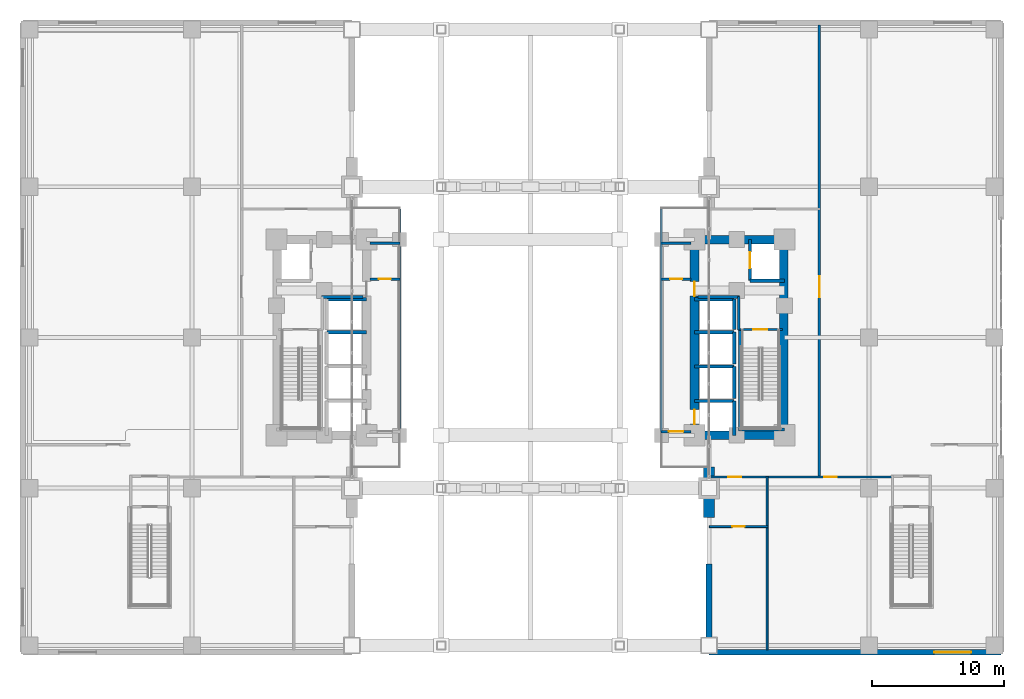
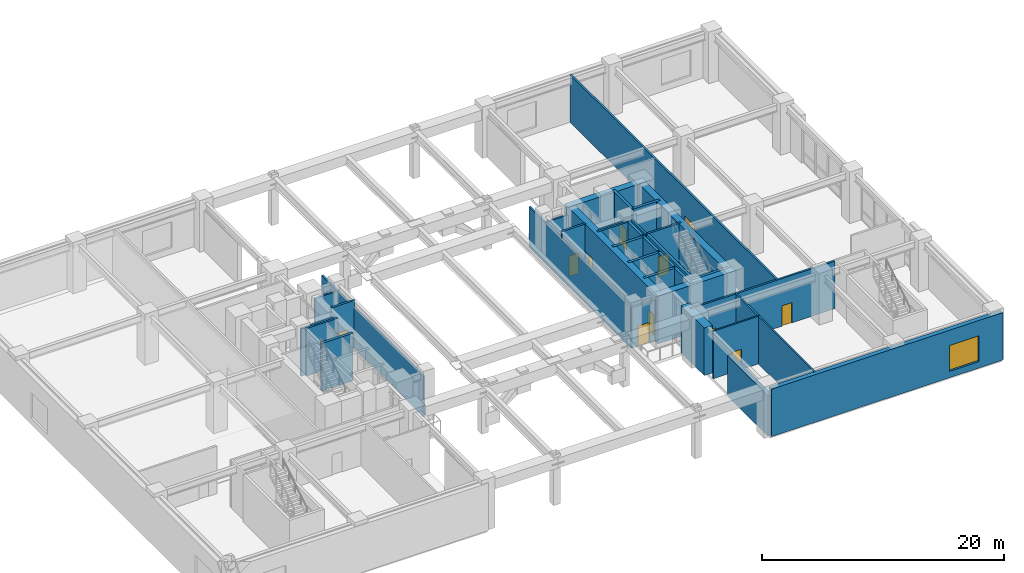
# One storey, part 19 of 26: 36 walls, 11 doors, 1 window, 12 openings.
"""IFC4 building model written with IfcOpenShell, lengths in metres."""

from ifc_helpers import new_model, si_unit, direction, frame, frame_2d, origin, place, context, subcontext, project, spatial, rectangle, extrude, material, layer, layer_set, type_object, element, fill, save


model = new_model("IFC4")

# Units and contexts
model_context = context("Model", 3, precision=1e-05, world=origin(), true_north=direction((0.0, 1.0)))
body_context = subcontext(model_context, "Body", "Model", "MODEL_VIEW")
ifc_project = project(units=[si_unit("LENGTHUNIT", "METRE"), si_unit("AREAUNIT", "SQUARE_METRE"), si_unit("VOLUMEUNIT", "CUBIC_METRE"), si_unit("PLANEANGLEUNIT", "RADIAN"), si_unit("MASSUNIT", "GRAM", prefix="KILO")], contexts=[model_context])

# Site, building, storey
site_placement = place(None, origin())
site = spatial("IfcSite", under=ifc_project, at=site_placement, CompositionType="ELEMENT")
building_placement = place(site_placement, origin())
building = spatial("IfcBuilding", under=site, at=building_placement, Name="Voryun Gate Residences", CompositionType="ELEMENT")
storey_placement = place(building_placement, frame((0.0, 0.0, 15.60009765625)))
storey = spatial("IfcBuildingStorey", under=building, at=storey_placement, Name="L03", CompositionType="ELEMENT", Elevation=15.60009765625)

# Walls
ifc_material_1 = material(Name="Concrete C60/75", Category="concrete")
ifc_layer_1 = layer(ifc_material_1, 0.64990234375, Name="CW_CORE_650")
ifc_layer_set_1 = layer_set([ifc_layer_1], Name="Concrete C60/75")
wall_type_1 = type_object("IfcWallType", Name="CW_CORE_650", PredefinedType="SHEAR", material=ifc_layer_set_1)
for number, where, z_axis, x_axis, name in (
    (1, (12.074951171875, -7.39990234375, 0.0), (0.0, 0.0, 1.0), (1.0, 0.0, 0.0), "L03 Core shear wall CW-L03-ES"),
    (2, (12.074951171875, 7.39990234375, 0.0), (0.0, 0.0, 1.0), (1.0, 0.0, 0.0), "L03 Core shear wall CW-L03-EN"),
):
    element("IfcWall", number, at=place(storey_placement, frame(where, z_axis=z_axis, x_axis=x_axis)), inside=storey, type_object=wall_type_1, Name=name, PredefinedType="SHEAR", context=body_context, shape_type="SweptSolid", body=[
        extrude(rectangle(XDim=7.449951171875, YDim=0.64990234375, at=frame_2d((3.72509765625, 0.0))), origin(), (0.0, 0.0, 1.0), 4.7998046875),
    ])

# Wall, openings, doors
wall_1_placement = place(storey_placement, frame((12.39990234375, -7.39990234375, 0.0), z_axis=(0.0, 0.0, 1.0), x_axis=(0.0, 1.0, 0.0)))
wall_1 = element("IfcWall", 3, at=wall_1_placement, inside=storey, type_object=wall_type_1, Name="L03 Core shear wall CW-L03-EW", PredefinedType="SHEAR", context=body_context, shape_type="SweptSolid", body=[
    extrude(rectangle(XDim=14.7998046875, YDim=0.64990234375, at=frame_2d((7.39990234375, 0.0))), origin(), (0.0, 0.0, 1.0), 4.7998046875),
])
opening_1_placement = place(wall_1_placement, frame((0.85009765625, 0.0, 0.0)))
opening_1 = element("IfcOpeningElement", 4, at=opening_1_placement, cuts=wall_1, Name="Opening LD2", PredefinedType="OPENING", context=body_context, shape_type="SweptSolid", body=[
    extrude(rectangle(XDim=1.10009765625, YDim=2.050048828125, at=frame_2d((0.550048828125, 1.02490234375))), frame((0.0, 0.3349609375, 0.0), z_axis=(0.0, -1.0, 0.0), x_axis=(1.0, 0.0, 0.0)), (0.0, 0.0, 1.0), 0.669921875),
])
opening_2_placement = place(wall_1_placement, frame((10.530029296875, 0.0, 0.0)))
opening_2 = element("IfcOpeningElement", 5, at=opening_2_placement, cuts=wall_1, Name="Opening D-FD60-2", PredefinedType="OPENING", context=body_context, shape_type="SweptSolid", body=[
    extrude(rectangle(XDim=1.10009765625, YDim=2.050048828125, at=frame_2d((0.550048828125, 1.02490234375))), frame((0.0, 0.3349609375, 0.0), z_axis=(0.0, -1.0, 0.0), x_axis=(1.0, 0.0, 0.0)), (0.0, 0.0, 1.0), 0.669921875),
])
ifc_material_2 = material(Name="Painted steel fire door", Category="steel")
door_type_1 = type_object("IfcDoorType", Name="DR_FD60_FFLOB_1100", OperationType="NOTDEFINED", PredefinedType="DOOR", material=ifc_material_2)
door_1_placement = place(opening_2_placement, origin())
door_1 = element("IfcDoor", 6, at=door_1_placement, inside=storey, type_object=door_type_1, Name="Door DR-L03-CLOB-E", OperationType="SINGLE_SWING_RIGHT", OverallHeight=2.050048828125, OverallWidth=1.10009765625, PredefinedType="DOOR", context=body_context, shape_type="SweptSolid", body=[
    extrude(rectangle(XDim=1.10009765625, YDim=2.050048828125, at=frame_2d((0.550048828125, 1.02490234375))), frame((0.0, 0.02490234375, 0.0), z_axis=(0.0, -1.0, 0.0), x_axis=(1.0, 0.0, 0.0)), (0.0, 0.0, 1.0), 0.050048828125),
])
fill(opening_2, door_1)
ifc_material_3 = material(Name="Anodised aluminium", Category="aluminium")
door_type_2 = type_object("IfcDoorType", Name="DR_LD_PASS_1100", OperationType="NOTDEFINED", PredefinedType="DOOR", material=ifc_material_3)
door_2_placement = place(opening_1_placement, origin())
door_2 = element("IfcDoor", 7, at=door_2_placement, inside=storey, type_object=door_type_2, Name="Lift EL-P3 sliding landing door L03", OperationType="SLIDING_TO_LEFT", OverallHeight=2.050048828125, OverallWidth=1.10009765625, PredefinedType="DOOR", context=body_context, shape_type="SweptSolid", body=[
    extrude(rectangle(XDim=1.10009765625, YDim=2.050048828125, at=frame_2d((0.550048828125, 1.02490234375))), frame((0.0, 0.02490234375, 0.0), z_axis=(0.0, -1.0, 0.0), x_axis=(1.0, 0.0, 0.0)), (0.0, 0.0, 1.0), 0.050048828125),
])
fill(opening_1, door_2)

# Walls
wall_2_placement = place(storey_placement, frame((19.14501953125, -7.39990234375, 0.0), z_axis=(0.0, 0.0, 1.0), x_axis=(0.0, 1.0, 0.0)))
element("IfcWall", 8, at=wall_2_placement, inside=storey, type_object=wall_type_1, Name="L03 Core shear wall CW-L03-EE", PredefinedType="SHEAR", context=body_context, shape_type="SweptSolid", body=[
    extrude(rectangle(XDim=14.7998046875, YDim=0.64990234375, at=frame_2d((7.39990234375, 0.0))), origin(), (0.0, 0.0, 1.0), 4.7998046875),
])
ifc_material_4 = material(Name="Concrete C60/75", Category="concrete")
ifc_layer_2 = layer(ifc_material_4, 0.800048828125, Name="W_ARCH_PIER_800")
ifc_layer_set_2 = layer_set([ifc_layer_2], Name="Concrete C60/75")
wall_type_2 = type_object("IfcWallType", Name="W_ARCH_PIER_800", PredefinedType="SOLIDWALL", material=ifc_layer_set_2)
wall_3_placement = place(storey_placement, frame((13.5, -13.60009765625, 0.0), z_axis=(0.0, 0.0, 1.0), x_axis=(0.0, 1.0, 0.0)))
element("IfcWall", 9, at=wall_3_placement, inside=storey, type_object=wall_type_2, Name="L03 Parabolic arch pier wall ES", PredefinedType="SOLIDWALL", context=body_context, shape_type="SweptSolid", body=[
    extrude(rectangle(XDim=3.800048828125, YDim=0.800048828125, at=frame_2d((1.89990234375, 0.0))), origin(), (0.0, 0.0, 1.0), 4.7998046875),
])
ifc_material_5 = material(Name="Gypsum acoustic fireboard")
ifc_layer_3 = layer(ifc_material_5, 0.179931640625, Name="W_CORR_RATED_180")
ifc_layer_set_3 = layer_set([ifc_layer_3], Name="Gypsum acoustic fireboard")
wall_type_3 = type_object("IfcWallType", Name="W_CORR_RATED_180", PredefinedType="PARTITIONING", material=ifc_layer_set_3)
wall_4_placement = place(storey_placement, frame((-12.14990234375, 7.1201171875, 0.0), z_axis=(0.0, 0.0, 1.0), x_axis=(1.0, 0.0, 0.0)))
element("IfcWall", 10, at=wall_4_placement, inside=storey, type_object=wall_type_3, Name="Partition wall WP-L03-PLBN-W", PredefinedType="PARTITIONING", context=body_context, shape_type="SweptSolid", body=[
    extrude(rectangle(XDim=2.27001953125, YDim=0.179931640625, at=frame_2d((1.135009765625, 0.0))), origin(), (0.0, 0.0, 1.0), 4.08984375),
])

# Wall, opening, door
wall_5_placement = place(storey_placement, frame((15.699951171875, 0.60009765625, 0.0), z_axis=(0.0, 0.0, 1.0), x_axis=(1.0, 0.0, 0.0)))
wall_5 = element("IfcWall", 11, at=wall_5_placement, inside=storey, type_object=wall_type_3, Name="Partition wall WP-L03-STV-E", PredefinedType="PARTITIONING", context=body_context, shape_type="SweptSolid", body=[
    extrude(rectangle(XDim=3.360107421875, YDim=0.179931640625, at=frame_2d((1.68017578125, 0.0))), origin(), (0.0, 0.0, 1.0), 4.7998046875),
])
opening_3_placement = place(wall_5_placement, frame((1.155029296875, 0.0, 0.0)))
opening_3 = element("IfcOpeningElement", 12, at=opening_3_placement, cuts=wall_5, Name="Opening D-FD60-1", PredefinedType="OPENING", context=body_context, shape_type="SweptSolid", body=[
    extrude(rectangle(XDim=1.050048828125, YDim=2.050048828125, at=frame_2d((0.52490234375, 1.02490234375))), frame((0.0, 0.099853515625, 0.0), z_axis=(0.0, -1.0, 0.0), x_axis=(1.0, 0.0, 0.0)), (0.0, 0.0, 1.0), 0.199951171875),
])
ifc_material_6 = material(Name="Painted steel fire door", Category="steel")
door_type_3 = type_object("IfcDoorType", Name="DR_FD60_STAIR_1050", OperationType="NOTDEFINED", PredefinedType="DOOR", material=ifc_material_6)
door_3_placement = place(opening_3_placement, origin())
door_3 = element("IfcDoor", 13, at=door_3_placement, inside=storey, type_object=door_type_3, Name="Door DR-L03-ST-E", OperationType="SINGLE_SWING_RIGHT", OverallHeight=2.050048828125, OverallWidth=1.050048828125, PredefinedType="DOOR", context=body_context, shape_type="SweptSolid", body=[
    extrude(rectangle(XDim=1.050048828125, YDim=2.050048828125, at=frame_2d((0.52490234375, 1.02490234375))), frame((0.0, 0.02490234375, 0.0), z_axis=(0.0, -1.0, 0.0), x_axis=(1.0, 0.0, 0.0)), (0.0, 0.0, 1.0), 0.050048828125),
])
fill(opening_3, door_3)

# Wall
wall_6_placement = place(storey_placement, frame((9.8798828125, 7.1201171875, 0.0), z_axis=(0.0, 0.0, 1.0), x_axis=(1.0, 0.0, 0.0)))
element("IfcWall", 14, at=wall_6_placement, inside=storey, type_object=wall_type_3, Name="Partition wall WP-L03-PLBN-E", PredefinedType="PARTITIONING", context=body_context, shape_type="SweptSolid", body=[
    extrude(rectangle(XDim=2.27001953125, YDim=0.179931640625, at=frame_2d((1.135009765625, 0.0))), origin(), (0.0, 0.0, 1.0), 4.08984375),
])

# Wall, opening, door
wall_7_placement = place(storey_placement, frame((9.8798828125, -7.1201171875, 0.0), z_axis=(0.0, 0.0, 1.0), x_axis=(1.0, 0.0, 0.0)))
wall_7 = element("IfcWall", 15, at=wall_7_placement, inside=storey, type_object=wall_type_3, Name="Partition wall WP-L03-PLBS-E", PredefinedType="PARTITIONING", context=body_context, shape_type="SweptSolid", body=[
    extrude(rectangle(XDim=2.27001953125, YDim=0.179931640625, at=frame_2d((1.135009765625, 0.0))), origin(), (0.0, 0.0, 1.0), 4.08984375),
])
opening_4_placement = place(wall_7_placement, frame((0.5849609375, 0.0, 0.0)))
opening_4 = element("IfcOpeningElement", 16, at=opening_4_placement, cuts=wall_7, Name="Opening D-FD60-2", PredefinedType="OPENING", context=body_context, shape_type="SweptSolid", body=[
    extrude(rectangle(XDim=1.10009765625, YDim=2.050048828125, at=frame_2d((0.550048828125, 1.02490234375))), frame((0.0, 0.099853515625, 0.0), z_axis=(0.0, -1.0, 0.0), x_axis=(1.0, 0.0, 0.0)), (0.0, 0.0, 1.0), 0.199951171875),
])
door_4_placement = place(opening_4_placement, origin())
door_4 = element("IfcDoor", 17, at=door_4_placement, inside=storey, type_object=door_type_1, Name="Door DR-L03-PLBNE", OperationType="SINGLE_SWING_RIGHT", OverallHeight=2.050048828125, OverallWidth=1.10009765625, PredefinedType="DOOR", context=body_context, shape_type="SweptSolid", body=[
    extrude(rectangle(XDim=1.10009765625, YDim=2.050048828125, at=frame_2d((0.550048828125, 1.02490234375))), frame((0.0, 0.02490234375, 0.0), z_axis=(0.0, -1.0, 0.0), x_axis=(1.0, 0.0, 0.0)), (0.0, 0.0, 1.0), 0.050048828125),
])
fill(opening_4, door_4)

# Walls
for number, where, z_axis, x_axis, name in (
    (18, (-9.89990234375, -7.1201171875, 0.0), (0.0, 0.0, 1.0), (0.0, 1.0, 0.0), "Partition wall WP-L03-PLBW"),
    (19, (9.89990234375, -7.1201171875, 0.0), (0.0, 0.0, 1.0), (0.0, 1.0, 0.0), "Partition wall WP-L03-PLBE"),
):
    element("IfcWall", number, at=place(storey_placement, frame(where, z_axis=z_axis, x_axis=x_axis)), inside=storey, type_object=wall_type_3, Name=name, PredefinedType="PARTITIONING", context=body_context, shape_type="SweptSolid", body=[
        extrude(rectangle(XDim=16.820068359375, YDim=0.179931640625, at=frame_2d((8.41015625, 0.0))), origin(), (0.0, 0.0, 1.0), 4.08984375),
    ])

# Wall, opening, door
wall_8_placement = place(storey_placement, frame((21.85009765625, -10.5, 0.0), z_axis=(0.0, 0.0, 1.0), x_axis=(0.0, 1.0, 0.0)))
wall_8 = element("IfcWall", 20, at=wall_8_placement, inside=storey, type_object=wall_type_3, Name="Partition wall WP-L03-ECE1", PredefinedType="PARTITIONING", context=body_context, shape_type="SweptSolid", body=[
    extrude(rectangle(XDim=34.1201171875, YDim=0.179931640625, at=frame_2d((17.06005859375, 0.0))), origin(), (0.0, 0.0, 1.0), 4.7998046875),
])
opening_5_placement = place(wall_8_placement, frame((13.530517578125, 0.0, 0.0)))
opening_5 = element("IfcOpeningElement", 21, at=opening_5_placement, cuts=wall_8, Name="Opening D-FD30-1", PredefinedType="OPENING", context=body_context, shape_type="SweptSolid", body=[
    extrude(rectangle(XDim=1.60009765625, YDim=2.050048828125, at=frame_2d((0.800048828125, 1.02490234375))), frame((0.0, 0.099853515625, 0.0), z_axis=(0.0, -1.0, 0.0), x_axis=(1.0, 0.0, 0.0)), (0.0, 0.0, 1.0), 0.199951171875),
])
ifc_material_7 = material(Name="Glazed aluminium fire door", Category="aluminium")
door_type_4 = type_object("IfcDoorType", Name="DR_CORR_SMOKE_1600", OperationType="NOTDEFINED", PredefinedType="DOOR", material=ifc_material_7)
door_5_placement = place(opening_5_placement, origin())
door_5 = element("IfcDoor", 22, at=door_5_placement, inside=storey, type_object=door_type_4, Name="Door DR-L03-ED1", OperationType="DOUBLE_DOOR_SINGLE_SWING", OverallHeight=2.050048828125, OverallWidth=1.60009765625, PredefinedType="DOOR", context=body_context, shape_type="SweptSolid", body=[
    extrude(rectangle(XDim=1.60009765625, YDim=2.050048828125, at=frame_2d((0.800048828125, 1.02490234375))), frame((0.0, 0.02490234375, 0.0), z_axis=(0.0, -1.0, 0.0), x_axis=(1.0, 0.0, 0.0)), (0.0, 0.0, 1.0), 0.050048828125),
])
fill(opening_5, door_5)

# Wall, openings, doors
wall_9_placement = place(storey_placement, frame((13.52001953125, -10.550048828125, 0.0), z_axis=(0.0, 0.0, 1.0), x_axis=(1.0, 0.0, 0.0)))
wall_9 = element("IfcWall", 23, at=wall_9_placement, inside=storey, type_object=wall_type_3, Name="Partition wall WP-L03-ECS2", PredefinedType="PARTITIONING", context=body_context, shape_type="SweptSolid", body=[
    extrude(rectangle(XDim=13.780029296875, YDim=0.179931640625, at=frame_2d((6.89013671875, 0.0))), origin(), (0.0, 0.0, 1.0), 4.7998046875),
])
opening_6_placement = place(wall_9_placement, frame((1.42919921875, 0.0, 0.0)))
opening_6 = element("IfcOpeningElement", 24, at=opening_6_placement, cuts=wall_9, Name="Opening D-AWC-1", PredefinedType="OPENING", context=body_context, shape_type="SweptSolid", body=[
    extrude(rectangle(XDim=1.0, YDim=2.050048828125, at=frame_2d((0.5, 1.02490234375))), frame((0.0, 0.099853515625, 0.0), z_axis=(0.0, -1.0, 0.0), x_axis=(1.0, 0.0, 0.0)), (0.0, 0.0, 1.0), 0.199951171875),
])
opening_7_placement = place(wall_9_placement, frame((8.701904296875, 0.0, 0.0)))
opening_7 = element("IfcOpeningElement", 25, at=opening_7_placement, cuts=wall_9, Name="Opening D-INT-1", PredefinedType="OPENING", context=body_context, shape_type="SweptSolid", body=[
    extrude(rectangle(XDim=0.949951171875, YDim=2.050048828125, at=frame_2d((0.47509765625, 1.02490234375))), frame((0.0, 0.099853515625, 0.0), z_axis=(0.0, -1.0, 0.0), x_axis=(1.0, 0.0, 0.0)), (0.0, 0.0, 1.0), 0.199951171875),
])
ifc_material_8 = material(Name="Architectural oak veneer")
door_type_5 = type_object("IfcDoorType", Name="DR_ACC_WC_1000", OperationType="NOTDEFINED", PredefinedType="DOOR", material=ifc_material_8)
door_6_placement = place(opening_6_placement, origin())
door_6 = element("IfcDoor", 26, at=door_6_placement, inside=storey, type_object=door_type_5, Name="Door DR-L03-EDWC", OperationType="SINGLE_SWING_LEFT", OverallHeight=2.050048828125, OverallWidth=1.0, PredefinedType="DOOR", context=body_context, shape_type="SweptSolid", body=[
    extrude(rectangle(XDim=1.0, YDim=2.050048828125, at=frame_2d((0.5, 1.02490234375))), frame((0.0, 0.02490234375, 0.0), z_axis=(0.0, -1.0, 0.0), x_axis=(1.0, 0.0, 0.0)), (0.0, 0.0, 1.0), 0.050048828125),
])
fill(opening_6, door_6)
ifc_material_9 = material(Name="Architectural oak veneer")
door_type_6 = type_object("IfcDoorType", Name="DR_INT_ROOM_950", OperationType="NOTDEFINED", PredefinedType="DOOR", material=ifc_material_9)
door_7_placement = place(opening_7_placement, origin())
door_7 = element("IfcDoor", 27, at=door_7_placement, inside=storey, type_object=door_type_6, Name="Door DR-L03-ED3", OperationType="SINGLE_SWING_RIGHT", OverallHeight=2.050048828125, OverallWidth=0.949951171875, PredefinedType="DOOR", context=body_context, shape_type="SweptSolid", body=[
    extrude(rectangle(XDim=0.949951171875, YDim=2.050048828125, at=frame_2d((0.47509765625, 1.02490234375))), frame((0.0, 0.02490234375, 0.0), z_axis=(0.0, -1.0, 0.0), x_axis=(1.0, 0.0, 0.0)), (0.0, 0.0, 1.0), 0.050048828125),
])
fill(opening_7, door_7)

# Wall, opening, window
ifc_material_10 = material(Name="Granite masonry", Category="masonry")
ifc_layer_4 = layer(ifc_material_10, 0.419921875, Name="W_EXT_PODIUM_420")
ifc_layer_set_4 = layer_set([ifc_layer_4], Name="Granite masonry")
wall_type_4 = type_object("IfcWallType", Name="W_EXT_PODIUM_420", PredefinedType="ELEMENTEDWALL", material=ifc_layer_set_4)
wall_10_placement = place(storey_placement, frame((13.5, -23.800048828125, 0.0), z_axis=(0.0, 0.0, 1.0), x_axis=(1.0, 0.0, 0.0)))
wall_10 = element("IfcWall", 28, at=wall_10_placement, inside=storey, type_object=wall_type_4, Name="Exterior wall WEP-L03-EP-1", PredefinedType="ELEMENTEDWALL", context=body_context, shape_type="SweptSolid", body=[
    extrude(rectangle(XDim=22.10009765625, YDim=0.419921875, at=frame_2d((11.050048828125, 0.0))), origin(), (0.0, 0.0, 1.0), 4.7998046875),
])
opening_8_placement = place(wall_10_placement, frame((17.01708984375, 0.0, 0.64990234375)))
opening_8 = element("IfcOpeningElement", 29, at=opening_8_placement, cuts=wall_10, Name="Opening WN5", PredefinedType="OPENING", context=body_context, shape_type="SweptSolid", body=[
    extrude(rectangle(XDim=2.800048828125, YDim=2.60009765625, at=frame_2d((1.39990234375, 1.300048828125))), frame((0.0, 0.219970703125, 0.0), z_axis=(0.0, -1.0, 0.0), x_axis=(1.0, 0.0, 0.0)), (0.0, 0.0, 1.0), 0.43994140625),
])
ifc_material_11 = material(Name="Laminated low-E glass", Category="glass")
window_type = type_object("IfcWindowType", Name="WN_POD_GALLERY_2800", PartitioningType="SINGLE_PANEL", PredefinedType="WINDOW", material=ifc_material_11)
window_placement = place(opening_8_placement, origin())
window = element("IfcWindow", 30, at=window_placement, inside=storey, type_object=window_type, Name="Window WN-L03-EP-1-03", OverallHeight=2.60009765625, OverallWidth=2.800048828125, PartitioningType="SINGLE_PANEL", PredefinedType="WINDOW", context=body_context, shape_type="SweptSolid", body=[
    extrude(rectangle(XDim=2.800048828125, YDim=2.60009765625, at=frame_2d((1.39990234375, 1.300048828125))), frame((0.0, 0.030029296875, 0.0), z_axis=(0.0, -1.0, 0.0), x_axis=(1.0, 0.0, 0.0)), (0.0, 0.0, 1.0), 0.06005859375),
])
fill(opening_8, window)

# Walls
wall_11_placement = place(storey_placement, frame((13.5, -23.800048828125, 0.0), z_axis=(0.0, 0.0, 1.0), x_axis=(0.0, 1.0, 0.0)))
element("IfcWall", 31, at=wall_11_placement, inside=storey, type_object=wall_type_4, Name="Exterior wall WEP-L03-EP-4A", PredefinedType="ELEMENTEDWALL", context=body_context, shape_type="SweptSolid", body=[
    extrude(rectangle(XDim=6.679931640625, YDim=0.419921875, at=frame_2d((3.33984375, 0.0))), origin(), (0.0, 0.0, 1.0), 4.08984375),
])
ifc_material_12 = material(Name="Concrete C40/50", Category="concrete")
ifc_layer_5 = layer(ifc_material_12, 0.199951171875, Name="W_FF_LOBBY_200")
ifc_layer_set_5 = layer_set([ifc_layer_5], Name="Concrete C40/50")
wall_type_5 = type_object("IfcWallType", Name="W_FF_LOBBY_200", PredefinedType="PARTITIONING", material=ifc_layer_set_5)
wall_12_placement = place(storey_placement, frame((-15.820068359375, 3.06005859375, 0.0), z_axis=(0.0, 0.0, 1.0), x_axis=(1.0, 0.0, 0.0)))
element("IfcWall", 32, at=wall_12_placement, inside=storey, type_object=wall_type_5, Name="Partition wall WP-L03-FFPS-W", PredefinedType="PARTITIONING", context=body_context, shape_type="SweptSolid", body=[
    extrude(rectangle(XDim=3.16015625, YDim=0.199951171875, at=frame_2d((1.580078125, 0.0))), origin(), (0.0, 0.0, 1.0), 4.7998046875),
])

# Wall, opening, door
wall_13_placement = place(storey_placement, frame((-12.14990234375, 4.409912109375, 0.0), z_axis=(0.0, 0.0, 1.0), x_axis=(1.0, 0.0, 0.0)))
wall_13 = element("IfcWall", 33, at=wall_13_placement, inside=storey, type_object=wall_type_5, Name="Partition wall WP-L03-CSFLKS-W", PredefinedType="PARTITIONING", context=body_context, shape_type="SweptSolid", body=[
    extrude(rectangle(XDim=2.27001953125, YDim=0.199951171875, at=frame_2d((1.135009765625, 0.0))), origin(), (0.0, 0.0, 1.0), 4.7998046875),
])
opening_9_placement = place(wall_13_placement, frame((0.68505859375, 0.0, 0.0)))
opening_9 = element("IfcOpeningElement", 34, at=opening_9_placement, cuts=wall_13, Name="Opening D-FD60-4", PredefinedType="OPENING", context=body_context, shape_type="SweptSolid", body=[
    extrude(rectangle(XDim=0.89990234375, YDim=2.050048828125, at=frame_2d((0.449951171875, 1.02490234375))), frame((0.0, 0.110107421875, 0.0), z_axis=(0.0, -1.0, 0.0), x_axis=(1.0, 0.0, 0.0)), (0.0, 0.0, 1.0), 0.219970703125),
])
ifc_material_13 = material(Name="Painted steel fire door", Category="steel")
door_type_7 = type_object("IfcDoorType", Name="DR_FD60_RISER_900", OperationType="NOTDEFINED", PredefinedType="DOOR", material=ifc_material_13)
door_8_placement = place(opening_9_placement, origin())
door_8 = element("IfcDoor", 35, at=door_8_placement, inside=storey, type_object=door_type_7, Name="Door DR-L03-CSFLK-W", OperationType="SINGLE_SWING_LEFT", OverallHeight=2.050048828125, OverallWidth=0.89990234375, PredefinedType="DOOR", context=body_context, shape_type="SweptSolid", body=[
    extrude(rectangle(XDim=0.89990234375, YDim=2.050048828125, at=frame_2d((0.449951171875, 1.02490234375))), frame((0.0, 0.02490234375, 0.0), z_axis=(0.0, -1.0, 0.0), x_axis=(1.0, 0.0, 0.0)), (0.0, 0.0, 1.0), 0.050048828125),
])
fill(opening_9, door_8)

# Walls
wall_14_placement = place(storey_placement, frame((15.760009765625, 0.580078125, 0.0), z_axis=(0.0, 0.0, 1.0), x_axis=(0.0, 1.0, 0.0)))
element("IfcWall", 36, at=wall_14_placement, inside=storey, type_object=wall_type_5, Name="Partition wall WP-L03-FFP0-E", PredefinedType="PARTITIONING", context=body_context, shape_type="SweptSolid", body=[
    extrude(rectangle(XDim=2.52001953125, YDim=0.199951171875, at=frame_2d((1.260009765625, 0.0))), origin(), (0.0, 0.0, 1.0), 4.7998046875),
])
wall_15_placement = place(storey_placement, frame((12.659912109375, 3.06005859375, 0.0), z_axis=(0.0, 0.0, 1.0), x_axis=(1.0, 0.0, 0.0)))
element("IfcWall", 37, at=wall_15_placement, inside=storey, type_object=wall_type_5, Name="Partition wall WP-L03-FFPS-E", PredefinedType="PARTITIONING", context=body_context, shape_type="SweptSolid", body=[
    extrude(rectangle(XDim=3.16015625, YDim=0.199951171875, at=frame_2d((1.580078125, 0.0))), origin(), (0.0, 0.0, 1.0), 4.7998046875),
])

# Wall, opening, door
wall_16_placement = place(storey_placement, frame((9.8798828125, 4.409912109375, 0.0), z_axis=(0.0, 0.0, 1.0), x_axis=(1.0, 0.0, 0.0)))
wall_16 = element("IfcWall", 38, at=wall_16_placement, inside=storey, type_object=wall_type_5, Name="Partition wall WP-L03-CSFLKS-E", PredefinedType="PARTITIONING", context=body_context, shape_type="SweptSolid", body=[
    extrude(rectangle(XDim=2.27001953125, YDim=0.199951171875, at=frame_2d((1.135009765625, 0.0))), origin(), (0.0, 0.0, 1.0), 4.7998046875),
])
opening_10_placement = place(wall_16_placement, frame((0.68505859375, 0.0, 0.0)))
opening_10 = element("IfcOpeningElement", 39, at=opening_10_placement, cuts=wall_16, Name="Opening D-FD60-4", PredefinedType="OPENING", context=body_context, shape_type="SweptSolid", body=[
    extrude(rectangle(XDim=0.89990234375, YDim=2.050048828125, at=frame_2d((0.449951171875, 1.02490234375))), frame((0.0, 0.110107421875, 0.0), z_axis=(0.0, -1.0, 0.0), x_axis=(1.0, 0.0, 0.0)), (0.0, 0.0, 1.0), 0.219970703125),
])
door_9_placement = place(opening_10_placement, origin())
door_9 = element("IfcDoor", 40, at=door_9_placement, inside=storey, type_object=door_type_7, Name="Door DR-L03-CSFLK-E", OperationType="SINGLE_SWING_RIGHT", OverallHeight=2.050048828125, OverallWidth=0.89990234375, PredefinedType="DOOR", context=body_context, shape_type="SweptSolid", body=[
    extrude(rectangle(XDim=0.89990234375, YDim=2.050048828125, at=frame_2d((0.449951171875, 1.02490234375))), frame((0.0, 0.02490234375, 0.0), z_axis=(0.0, -1.0, 0.0), x_axis=(1.0, 0.0, 0.0)), (0.0, 0.0, 1.0), 0.050048828125),
])
fill(opening_10, door_9)

# Walls
ifc_material_14 = material(Name="Concrete C50/60", Category="concrete")
ifc_layer_6 = layer(ifc_material_14, 0.25, Name="W_SHAFT_RC250")
ifc_layer_set_6 = layer_set([ifc_layer_6], Name="Concrete C50/60")
wall_type_6 = type_object("IfcWallType", Name="W_SHAFT_RC250", PredefinedType="SOLIDWALL", material=ifc_layer_set_6)
wall_17_placement = place(storey_placement, frame((15.860107421875, -7.0849609375, 0.0), z_axis=(0.0, 0.0, 1.0), x_axis=(0.0, 1.0, 0.0)))
element("IfcWall", 41, at=wall_17_placement, inside=storey, type_object=wall_type_6, Name="L03 Stair shaft structural wall E-STL", PredefinedType="SOLIDWALL", context=body_context, shape_type="SweptSolid", body=[
    extrude(rectangle(XDim=7.68505859375, YDim=0.25, at=frame_2d((3.842529296875, 0.0))), origin(), (0.0, 0.0, 1.0), 4.7998046875),
])
wall_18_placement = place(storey_placement, frame((15.739990234375, -6.965087890625, 0.0), z_axis=(0.0, 0.0, 1.0), x_axis=(1.0, 0.0, 0.0)))
element("IfcWall", 42, at=wall_18_placement, inside=storey, type_object=wall_type_6, Name="L03 Stair shaft structural wall E-STS", PredefinedType="SOLIDWALL", context=body_context, shape_type="SweptSolid", body=[
    extrude(rectangle(XDim=3.4599609375, YDim=0.25, at=frame_2d((1.72998046875, 0.0))), origin(), (0.0, 0.0, 1.0), 4.7998046875),
])
wall_19_placement = place(storey_placement, frame((16.60009765625, 4.300048828125, 0.0), z_axis=(0.0, 0.0, 1.0), x_axis=(1.0, 0.0, 0.0)))
element("IfcWall", 43, at=wall_19_placement, inside=storey, type_object=wall_type_6, Name="Lift shaft wall WSH-L03-EL-FF-E1-S", PredefinedType="SOLIDWALL", context=body_context, shape_type="SweptSolid", body=[
    extrude(rectangle(XDim=2.599853515625, YDim=0.25, at=frame_2d((1.2998046875, 0.0))), origin(), (0.0, 0.0, 1.0), 4.7998046875),
])

# Wall, opening, door
wall_20_placement = place(storey_placement, frame((16.60009765625, 7.39990234375, 0.0), z_axis=(0.0, 0.0, 1.0), x_axis=(0.0, -1.0, 0.0)))
wall_20 = element("IfcWall", 44, at=wall_20_placement, inside=storey, type_object=wall_type_6, Name="Lift shaft wall WSH-L03-EL-FF-E1-W", PredefinedType="SOLIDWALL", context=body_context, shape_type="SweptSolid", body=[
    extrude(rectangle(XDim=3.099853515625, YDim=0.25, at=frame_2d((1.5498046875, 0.0))), origin(), (0.0, 0.0, 1.0), 4.7998046875),
])
opening_11_placement = place(wall_20_placement, frame((0.949951171875, 0.0, 0.0)))
opening_11 = element("IfcOpeningElement", 45, at=opening_11_placement, cuts=wall_20, Name="Opening LD1", PredefinedType="OPENING", context=body_context, shape_type="SweptSolid", body=[
    extrude(rectangle(XDim=1.199951171875, YDim=2.050048828125, at=frame_2d((0.60009765625, 1.02490234375))), frame((0.0, 0.135009765625, 0.0), z_axis=(0.0, -1.0, 0.0), x_axis=(1.0, 0.0, 0.0)), (0.0, 0.0, 1.0), 0.27001953125),
])
ifc_material_15 = material(Name="Anodised aluminium", Category="aluminium")
door_type_8 = type_object("IfcDoorType", Name="DR_LD_FF_1200", OperationType="NOTDEFINED", PredefinedType="DOOR", material=ifc_material_15)
door_10_placement = place(opening_11_placement, origin())
door_10 = element("IfcDoor", 46, at=door_10_placement, inside=storey, type_object=door_type_8, Name="Lift EL-FF-E1 sliding landing door L03", OperationType="SLIDING_TO_LEFT", OverallHeight=2.050048828125, OverallWidth=1.199951171875, PredefinedType="DOOR", context=body_context, shape_type="SweptSolid", body=[
    extrude(rectangle(XDim=1.199951171875, YDim=2.050048828125, at=frame_2d((0.60009765625, 1.02490234375))), frame((0.0, 0.02490234375, 0.0), z_axis=(0.0, -1.0, 0.0), x_axis=(1.0, 0.0, 0.0)), (0.0, 0.0, 1.0), 0.050048828125),
])
fill(opening_11, door_10)

# Walls
wall_21_placement = place(storey_placement, frame((15.39990234375, -7.39990234375, 0.0), z_axis=(0.0, 0.0, 1.0), x_axis=(0.0, 1.0, 0.0)))
element("IfcWall", 47, at=wall_21_placement, inside=storey, type_object=wall_type_6, Name="Lift shaft wall WSH-L03-EL-P3-E", PredefinedType="SOLIDWALL", context=body_context, shape_type="SweptSolid", body=[
    extrude(rectangle(XDim=2.599853515625, YDim=0.25, at=frame_2d((1.2998046875, 0.0))), origin(), (0.0, 0.0, 1.0), 4.7998046875),
])
for number, where, z_axis, x_axis, name in (
    (48, (15.39990234375, -4.800048828125, 0.0), (0.0, 0.0, 1.0), (-1.0, 0.0, 0.0), "Lift shaft wall WSH-L03-EL-P3-N"),
    (49, (-12.39990234375, 0.39990234375, 0.0), (0.0, 0.0, 1.0), (-1.0, 0.0, 0.0), "Lift shaft wall WSH-L03-EL-P4-N"),
):
    element("IfcWall", number, at=place(storey_placement, frame(where, z_axis=z_axis, x_axis=x_axis)), inside=storey, type_object=wall_type_6, Name=name, PredefinedType="SOLIDWALL", context=body_context, shape_type="SweptSolid", body=[
        extrude(rectangle(XDim=3.0, YDim=0.25, at=frame_2d((1.5, 0.0))), origin(), (0.0, 0.0, 1.0), 4.7998046875),
    ])
wall_22_placement = place(storey_placement, frame((15.39990234375, -4.60009765625, 0.0), z_axis=(0.0, 0.0, 1.0), x_axis=(0.0, 1.0, 0.0)))
element("IfcWall", 50, at=wall_22_placement, inside=storey, type_object=wall_type_6, Name="Lift shaft wall WSH-L03-EL-P5-E", PredefinedType="SOLIDWALL", context=body_context, shape_type="SweptSolid", body=[
    extrude(rectangle(XDim=2.400146484375, YDim=0.25, at=frame_2d((1.2001953125, 0.0))), origin(), (0.0, 0.0, 1.0), 4.7998046875),
])
wall_23_placement = place(storey_placement, frame((15.39990234375, -2.199951171875, 0.0), z_axis=(0.0, 0.0, 1.0), x_axis=(-1.0, 0.0, 0.0)))
element("IfcWall", 51, at=wall_23_placement, inside=storey, type_object=wall_type_6, Name="Lift shaft wall WSH-L03-EL-P5-N", PredefinedType="SOLIDWALL", context=body_context, shape_type="SweptSolid", body=[
    extrude(rectangle(XDim=3.0, YDim=0.25, at=frame_2d((1.5, 0.0))), origin(), (0.0, 0.0, 1.0), 4.7998046875),
])
wall_24_placement = place(storey_placement, frame((15.39990234375, -2.0, 0.0), z_axis=(0.0, 0.0, 1.0), x_axis=(0.0, 1.0, 0.0)))
element("IfcWall", 52, at=wall_24_placement, inside=storey, type_object=wall_type_6, Name="Lift shaft wall WSH-L03-EL-P6-E", PredefinedType="SOLIDWALL", context=body_context, shape_type="SweptSolid", body=[
    extrude(rectangle(XDim=2.39990234375, YDim=0.25, at=frame_2d((1.199951171875, 0.0))), origin(), (0.0, 0.0, 1.0), 4.7998046875),
])
for number, where, z_axis, x_axis, name in (
    (53, (15.39990234375, 0.39990234375, 0.0), (0.0, 0.0, 1.0), (-1.0, 0.0, 0.0), "Lift shaft wall WSH-L03-EL-P6-N"),
    (54, (-12.39990234375, 2.89990234375, 0.0), (0.0, 0.0, 1.0), (-1.0, 0.0, 0.0), "Lift shaft wall WSH-L03-EL-P7-N"),
):
    element("IfcWall", number, at=place(storey_placement, frame(where, z_axis=z_axis, x_axis=x_axis)), inside=storey, type_object=wall_type_6, Name=name, PredefinedType="SOLIDWALL", context=body_context, shape_type="SweptSolid", body=[
        extrude(rectangle(XDim=3.0, YDim=0.25, at=frame_2d((1.5, 0.0))), origin(), (0.0, 0.0, 1.0), 4.7998046875),
    ])
wall_25_placement = place(storey_placement, frame((15.39990234375, 0.60009765625, 0.0), z_axis=(0.0, 0.0, 1.0), x_axis=(0.0, 1.0, 0.0)))
element("IfcWall", 55, at=wall_25_placement, inside=storey, type_object=wall_type_6, Name="Lift shaft wall WSH-L03-EL-P8-E", PredefinedType="SOLIDWALL", context=body_context, shape_type="SweptSolid", body=[
    extrude(rectangle(XDim=2.2998046875, YDim=0.25, at=frame_2d((1.14990234375, 0.0))), origin(), (0.0, 0.0, 1.0), 4.7998046875),
])
wall_26_placement = place(storey_placement, frame((15.39990234375, 2.89990234375, 0.0), z_axis=(0.0, 0.0, 1.0), x_axis=(-1.0, 0.0, 0.0)))
element("IfcWall", 56, at=wall_26_placement, inside=storey, type_object=wall_type_6, Name="Lift shaft wall WSH-L03-EL-P8-N", PredefinedType="SOLIDWALL", context=body_context, shape_type="SweptSolid", body=[
    extrude(rectangle(XDim=3.0, YDim=0.25, at=frame_2d((1.5, 0.0))), origin(), (0.0, 0.0, 1.0), 4.7998046875),
])
ifc_material_16 = material(Name="Gypsum moisture-resistant partition")
ifc_layer_7 = layer(ifc_material_16, 0.14990234375, Name="W_WET_PLUMB_150")
ifc_layer_set_7 = layer_set([ifc_layer_7], Name="Gypsum moisture-resistant partition")
wall_type_7 = type_object("IfcWallType", Name="W_WET_PLUMB_150", PredefinedType="PLUMBINGWALL", material=ifc_layer_set_7)
wall_27_placement = place(storey_placement, frame((17.89990234375, -23.6201171875, 0.0), z_axis=(0.0, 0.0, 1.0), x_axis=(0.0, 1.0, 0.0)))
element("IfcWall", 57, at=wall_27_placement, inside=storey, type_object=wall_type_7, Name="Partition wall WP-L03-EWCD1", PredefinedType="PLUMBINGWALL", context=body_context, shape_type="SweptSolid", body=[
    extrude(rectangle(XDim=13.1201171875, YDim=0.14990234375, at=frame_2d((6.56005859375, 0.0))), origin(), (0.0, 0.0, 1.0), 4.7998046875),
])

# Wall, opening, door
wall_28_placement = place(storey_placement, frame((13.52001953125, -14.300048828125, 0.0), z_axis=(0.0, 0.0, 1.0), x_axis=(1.0, 0.0, 0.0)))
wall_28 = element("IfcWall", 58, at=wall_28_placement, inside=storey, type_object=wall_type_7, Name="Partition wall WP-L03-EWCD2", PredefinedType="PLUMBINGWALL", context=body_context, shape_type="SweptSolid", body=[
    extrude(rectangle(XDim=4.429931640625, YDim=0.14990234375, at=frame_2d((2.21484375, 0.0))), origin(), (0.0, 0.0, 1.0), 4.7998046875),
])
opening_12_placement = place(wall_28_placement, frame((1.739990234375, 0.0, 0.0)))
opening_12 = element("IfcOpeningElement", 59, at=opening_12_placement, cuts=wall_28, Name="Opening D-INT-1", PredefinedType="OPENING", context=body_context, shape_type="SweptSolid", body=[
    extrude(rectangle(XDim=0.949951171875, YDim=2.050048828125, at=frame_2d((0.47509765625, 1.02490234375))), frame((0.0, 0.0849609375, 0.0), z_axis=(0.0, -1.0, 0.0), x_axis=(1.0, 0.0, 0.0)), (0.0, 0.0, 1.0), 0.169921875),
])
door_11_placement = place(opening_12_placement, origin())
door_11 = element("IfcDoor", 60, at=door_11_placement, inside=storey, type_object=door_type_6, Name="Door DR-L03-ESTR", OperationType="SINGLE_SWING_RIGHT", OverallHeight=2.050048828125, OverallWidth=0.949951171875, PredefinedType="DOOR", context=body_context, shape_type="SweptSolid", body=[
    extrude(rectangle(XDim=0.949951171875, YDim=2.050048828125, at=frame_2d((0.47509765625, 1.02490234375))), frame((0.0, 0.02490234375, 0.0), z_axis=(0.0, -1.0, 0.0), x_axis=(1.0, 0.0, 0.0)), (0.0, 0.0, 1.0), 0.050048828125),
])
fill(opening_12, door_11)

save(model, "model.ifc")
